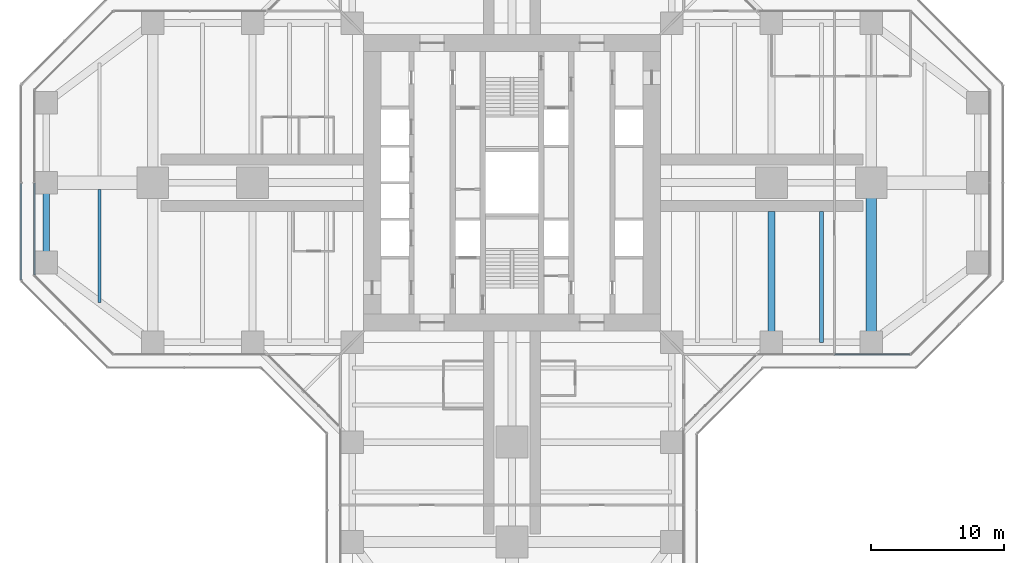
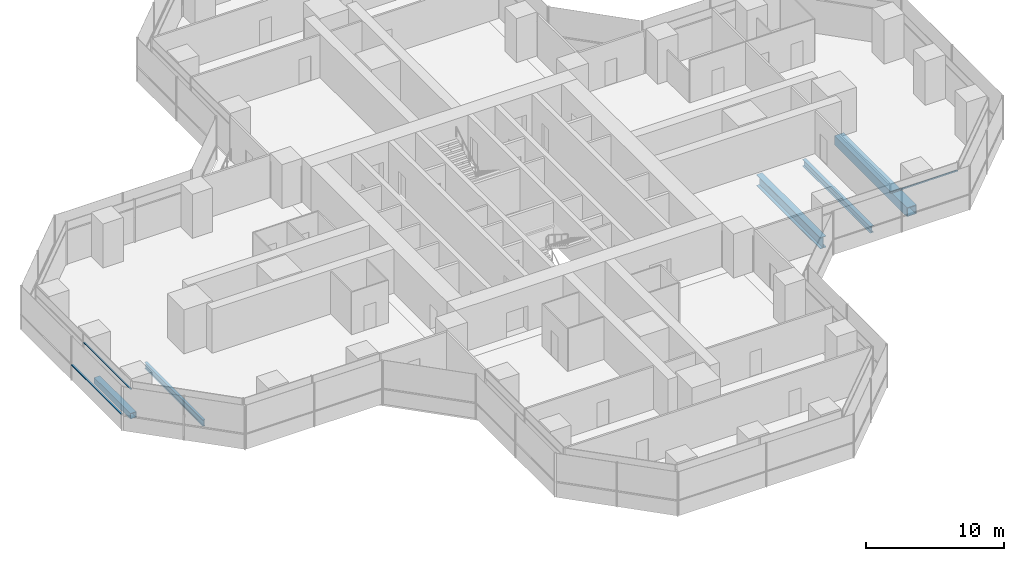
# One storey, part 7 of 22: 5 beams, 3 members, 3 elements without a shape of their own.
"""IFC4 building model written with IfcOpenShell, lengths in metres."""

from ifc_helpers import new_model, si_unit, direction, frame, origin, origin_2d, place, context, subcontext, project, spatial, rectangle, hollow_rectangle, i_section, extrude, material, material_profile, profile_set, type_object, element, aggregate, save


model = new_model("IFC4")

# Units and contexts
model_context = context("Model", 3, precision=1e-05, world=origin(), true_north=direction((0.0, 1.0)))
body_context = subcontext(model_context, "Body", "Model", "MODEL_VIEW")
ifc_project = project(units=[si_unit("LENGTHUNIT", "METRE"), si_unit("AREAUNIT", "SQUARE_METRE"), si_unit("VOLUMEUNIT", "CUBIC_METRE"), si_unit("PLANEANGLEUNIT", "RADIAN"), si_unit("MASSUNIT", "GRAM", prefix="KILO")], contexts=[model_context])

# Site, building, storey
site_placement = place(None, origin())
site = spatial("IfcSite", under=ifc_project, at=site_placement, CompositionType="ELEMENT")
building_placement = place(site_placement, origin())
building = spatial("IfcBuilding", under=site, at=building_placement, Name="Mizan Broadcast Tower", CompositionType="ELEMENT")
storey_placement = place(building_placement, frame((0.0, 0.0, 94.199951171875)))
storey = spatial("IfcBuildingStorey", under=building, at=storey_placement, Name="L20", CompositionType="ELEMENT", Elevation=94.199951171875)

# Beams
ifc_material_1 = material(Name="Steel S355", Category="steel")
ifc_material_profile_1 = material_profile(ifc_material_1, hollow_rectangle(XDim=0.5, YDim=0.5, WallThickness=0.030029296875, at=origin_2d()), Name="BOX 500x500x30")
ifc_profile_set_1 = profile_set([ifc_material_profile_1], Name="Steel S355")
beam_type_1 = type_object("IfcBeamType", Name="EDGE BEAM BOX 500x500x30", PredefinedType="SPANDREL", material=ifc_profile_set_1)
beam_1_placement = place(storey_placement, frame((-35.0, -5.639892578125, -0.3798828125), z_axis=(0.0, 1.0, 0.0), x_axis=(-1.0, 0.0, 0.0)))
element("IfcBeam", 1, at=beam_1_placement, inside=storey, type_object=beam_type_1, Name="Edge beam BOX 500x500x30 L20 west arm", PredefinedType="SPANDREL", context=body_context, shape_type="SweptSolid", body=[
    extrude(hollow_rectangle(XDim=0.5, YDim=0.5, WallThickness=0.030029296875, at=origin_2d()), origin(), (0.0, 0.0, 1.0), 5.27978515625),
])
ifc_material_2 = material(Name="Steel S460", Category="steel")
ifc_material_profile_2 = material_profile(ifc_material_2, hollow_rectangle(XDim=0.800048828125, YDim=0.800048828125, WallThickness=0.050048828125, at=origin_2d()), Name="BOX 800x800x50")
ifc_profile_set_2 = profile_set([ifc_material_profile_2], Name="Steel S460")
beam_type_2 = type_object("IfcBeamType", Name="GIRDER BOX 800x800x50", PredefinedType="BEAM", material=ifc_profile_set_2)
beam_2_placement = place(storey_placement, frame((27.0, -11.280029296875, -0.530029296875), z_axis=(0.0, 1.0, 0.0), x_axis=(-1.0, 0.0, 0.0)))
element("IfcBeam", 2, at=beam_2_placement, inside=storey, type_object=beam_type_2, Name="Girder BOX 800x800x50 L20 east arm", PredefinedType="BEAM", context=body_context, shape_type="SweptSolid", body=[
    extrude(hollow_rectangle(XDim=0.800048828125, YDim=0.800048828125, WallThickness=0.050048828125, at=origin_2d()), origin(), (0.0, 0.0, 1.0), 10.56005859375),
])
ifc_material_3 = material(Name="Steel S460", Category="steel")
ifc_material_profile_3 = material_profile(ifc_material_3, i_section(OverallWidth=0.5, OverallDepth=1.0, WebThickness=0.02490234375, FlangeThickness=0.050048828125, at=origin_2d()), Name="WPG 1000x500")
ifc_profile_set_3 = profile_set([ifc_material_profile_3], Name="Steel S460")
beam_type_3 = type_object("IfcBeamType", Name="GIRDER WPG 1000x500", PredefinedType="BEAM", material=ifc_profile_set_3)
beam_3_placement = place(storey_placement, frame((19.5, -11.408935546875, -0.6298828125), z_axis=(0.0, 1.0, 0.0), x_axis=(-1.0, 0.0, 0.0)))
element("IfcBeam", 3, at=beam_3_placement, inside=storey, type_object=beam_type_3, Name="Girder WPG 1000x500 L20 east arm", PredefinedType="BEAM", context=body_context, shape_type="SweptSolid", body=[
    extrude(i_section(OverallWidth=0.5, OverallDepth=1.0, WebThickness=0.02490234375, FlangeThickness=0.050048828125, at=origin_2d()), origin(), (0.0, 0.0, 1.0), 9.259033203125),
])

# Curtain wall, member
ifc_material_4 = material(Name="Aluminium framed glazing", Category="aluminium")
curtain_wall_type_1 = type_object("IfcCurtainWallType", Name="INNER SKIN LOW ZONE", PredefinedType="USERDEFINED", material=ifc_material_4)
curtain_wall_1_placement = place(storey_placement, origin())
curtain_wall_1 = element("IfcCurtainWall", 4, at=curtain_wall_1_placement, inside=storey, type_object=curtain_wall_type_1, Name="Inner skin low zone L20 E side", ObjectType="INNER SKIN LOW ZONE", PredefinedType="USERDEFINED")
ifc_material_5 = material(Name="Aluminium, pale anodised", Category="aluminium")
ifc_material_profile_4 = material_profile(ifc_material_5, rectangle(XDim=0.1201171875, YDim=0.06005859375, at=origin_2d()), Name="TRANSOM 120x60")
ifc_profile_set_4 = profile_set([ifc_material_profile_4], Name="Aluminium, pale anodised")
member_type_1 = type_object("IfcMemberType", Name="INNER SKIN TRANSOM 60x120", PredefinedType="USERDEFINED", material=ifc_profile_set_4)
member_1_placement = place(storey_placement, frame((24.25927734375, -12.89990234375, 3.030029296875), z_axis=(1.0, 0.0, 0.0), x_axis=(0.0, 1.0, 0.0)))
member_1 = element("IfcMember", 5, at=member_1_placement, type_object=member_type_1, Name="Inner skin low zone L20 E side transom 2.1", ObjectType="TRANSOM", PredefinedType="USERDEFINED", context=body_context, shape_type="SweptSolid", body=[
    extrude(rectangle(XDim=0.1201171875, YDim=0.06005859375, at=origin_2d()), origin(), (0.0, 0.0, 1.0), 5.639404296875),
])
aggregate(curtain_wall_1, [member_1])

curtain_wall_2_placement = place(storey_placement, origin())
curtain_wall_2 = element("IfcCurtainWall", 6, at=curtain_wall_2_placement, inside=storey, type_object=curtain_wall_type_1, Name="Inner skin low zone L20 W end", ObjectType="INNER SKIN LOW ZONE", PredefinedType="USERDEFINED")
member_2_placement = place(storey_placement, frame((-35.89990234375, -0.030029296875, 3.030029296875), z_axis=(0.0, -1.0, 0.0), x_axis=(1.0, 0.0, 0.0)))
member_2 = element("IfcMember", 7, at=member_2_placement, type_object=member_type_1, Name="Inner skin low zone L20 W end transom 2.1", ObjectType="TRANSOM", PredefinedType="USERDEFINED", context=body_context, shape_type="SweptSolid", body=[
    extrude(rectangle(XDim=0.1201171875, YDim=0.06005859375, at=origin_2d()), origin(), (0.0, 0.0, 1.0), 6.86865234375),
])
aggregate(curtain_wall_2, [member_2])

ifc_material_6 = material(Name="Aluminium framed glazing", Category="aluminium")
curtain_wall_type_2 = type_object("IfcCurtainWallType", Name="OUTER SKIN", PredefinedType="USERDEFINED", material=ifc_material_6)
curtain_wall_3_placement = place(storey_placement, origin())
curtain_wall_3 = element("IfcCurtainWall", 8, at=curtain_wall_3_placement, inside=storey, type_object=curtain_wall_type_2, Name="Outer skin L20 W end", ObjectType="OUTER SKIN", PredefinedType="USERDEFINED")
ifc_material_7 = material(Name="Aluminium, pale anodised", Category="aluminium")
ifc_material_profile_5 = material_profile(ifc_material_7, rectangle(XDim=0.159912109375, YDim=0.06005859375, at=origin_2d()), Name="TRANSOM 160x60")
ifc_profile_set_5 = profile_set([ifc_material_profile_5], Name="Aluminium, pale anodised")
member_type_2 = type_object("IfcMemberType", Name="OUTER SKIN TRANSOM 60x160", PredefinedType="USERDEFINED", material=ifc_profile_set_5)
member_3_placement = place(storey_placement, frame((-36.89990234375, -0.0400390625, 1.400146484375), z_axis=(0.0, -1.0, 0.0), x_axis=(1.0, 0.0, 0.0)))
member_3 = element("IfcMember", 9, at=member_3_placement, type_object=member_type_2, Name="Outer skin L20 W end transom 2.1", ObjectType="TRANSOM", PredefinedType="USERDEFINED", context=body_context, shape_type="SweptSolid", body=[
    extrude(rectangle(XDim=0.159912109375, YDim=0.06005859375, at=origin_2d()), origin(), (0.0, 0.0, 1.0), 7.252685546875),
])
aggregate(curtain_wall_3, [member_3])

# Beams
ifc_material_8 = material(Name="Steel S355", Category="steel")
ifc_material_profile_6 = material_profile(ifc_material_8, i_section(OverallWidth=0.300048828125, OverallDepth=0.590087890625, WebThickness=0.012939453125, FlangeThickness=0.02490234375, FilletRadius=0.027099609375, at=origin_2d()), Name="HEA 600")
ifc_profile_set_6 = profile_set([ifc_material_profile_6], Name="Steel S355")
beam_type_4 = type_object("IfcBeamType", Name="SECONDARY BEAM HEA 600", PredefinedType="JOIST", material=ifc_profile_set_6)
beam_4_placement = place(storey_placement, frame((23.25, -12.0, -0.425048828125), z_axis=(0.0, 1.0, 0.0), x_axis=(-1.0, 0.0, 0.0)))
element("IfcBeam", 10, at=beam_4_placement, inside=storey, type_object=beam_type_4, Name="Secondary beam HEA 600 L20 east arm", PredefinedType="JOIST", context=body_context, shape_type="SweptSolid", body=[
    extrude(i_section(OverallWidth=0.300048828125, OverallDepth=0.590087890625, WebThickness=0.012939453125, FlangeThickness=0.02490234375, FilletRadius=0.027099609375, at=origin_2d()), origin(), (0.0, 0.0, 1.0), 9.85009765625),
])
ifc_material_9 = material(Name="Steel S355", Category="steel")
ifc_material_profile_7 = material_profile(ifc_material_9, i_section(OverallWidth=0.2099609375, OverallDepth=0.550048828125, WebThickness=0.010986328125, FlangeThickness=0.01708984375, FilletRadius=0.02392578125, at=origin_2d()), Name="IPE 550")
ifc_profile_set_7 = profile_set([ifc_material_profile_7], Name="Steel S355")
beam_type_5 = type_object("IfcBeamType", Name="SECONDARY BEAM IPE 550", PredefinedType="JOIST", material=ifc_profile_set_7)
beam_5_placement = place(storey_placement, frame((-31.0, -9.0, -0.405029296875), z_axis=(0.0, 1.0, 0.0), x_axis=(-1.0, 0.0, 0.0)))
element("IfcBeam", 11, at=beam_5_placement, inside=storey, type_object=beam_type_5, Name="Secondary beam IPE 550 L20 west arm", PredefinedType="JOIST", context=body_context, shape_type="SweptSolid", body=[
    extrude(i_section(OverallWidth=0.2099609375, OverallDepth=0.550048828125, WebThickness=0.010986328125, FlangeThickness=0.01708984375, FilletRadius=0.02392578125, at=origin_2d()), origin(), (0.0, 0.0, 1.0), 8.5),
])

save(model, "model.ifc")
